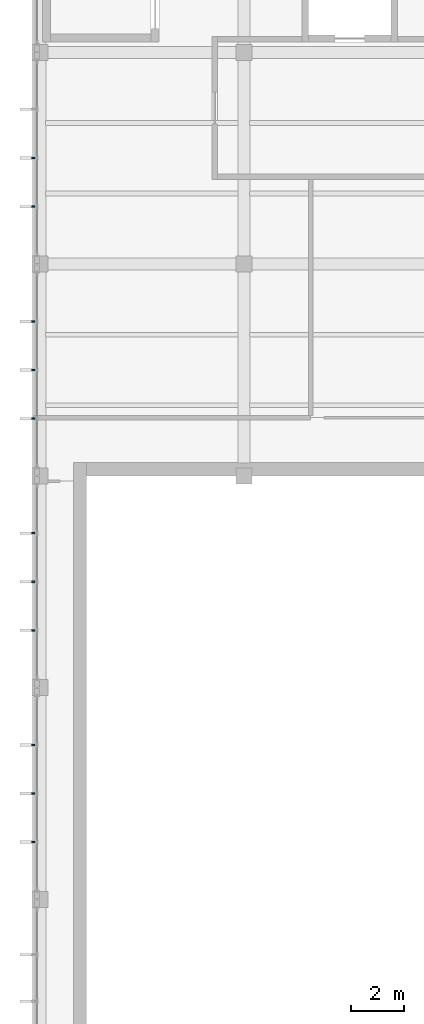
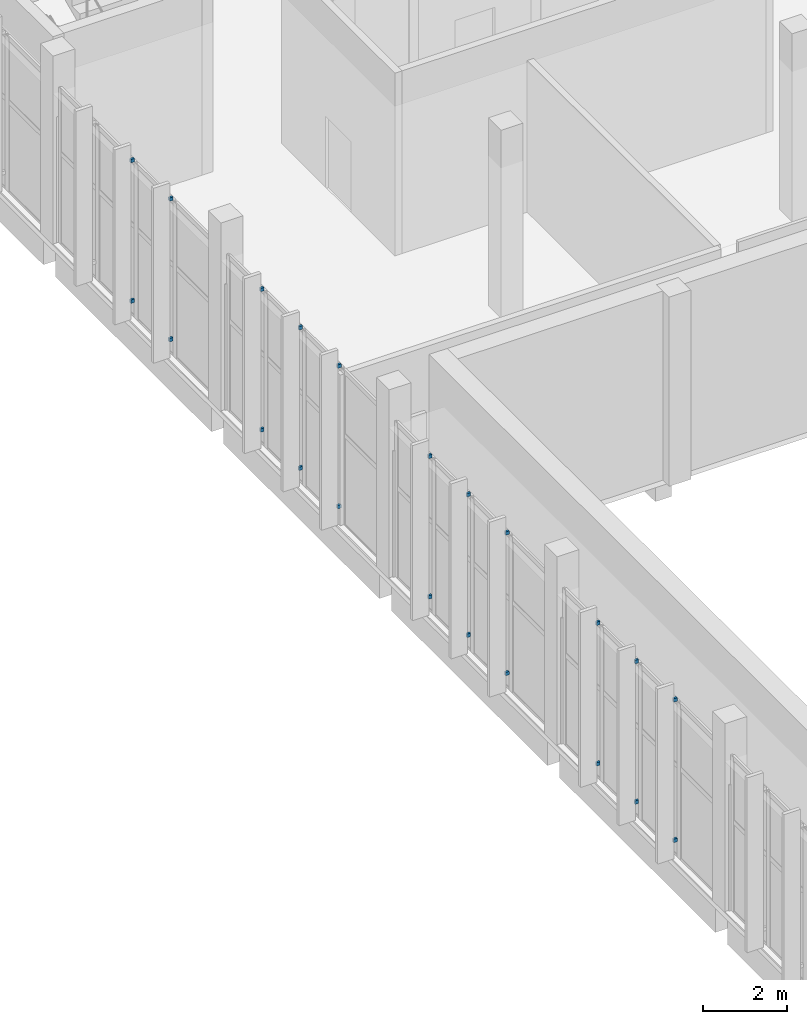
# One storey, part 52 of 87: 22 discrete accessories.
"""IFC4 building model written with IfcOpenShell, lengths in metres."""

from ifc_helpers import new_model, si_unit, direction, frame, origin, origin_2d, place, context, subcontext, project, spatial, rectangle, extrude, material, type_object, element, save


model = new_model("IFC4")

# Units and contexts
model_context = context("Model", 3, precision=1e-05, world=origin(), true_north=direction((0.0, 1.0)))
body_context = subcontext(model_context, "Body", "Model", "MODEL_VIEW")
ifc_project = project(units=[si_unit("LENGTHUNIT", "METRE"), si_unit("AREAUNIT", "SQUARE_METRE"), si_unit("VOLUMEUNIT", "CUBIC_METRE"), si_unit("PLANEANGLEUNIT", "RADIAN"), si_unit("MASSUNIT", "GRAM", prefix="KILO")], contexts=[model_context])

# Site, building, storey
site_placement = place(None, origin())
site = spatial("IfcSite", under=ifc_project, at=site_placement, CompositionType="ELEMENT")
building_placement = place(site_placement, origin())
building = spatial("IfcBuilding", under=site, at=building_placement, Name="Lunette Opera House", CompositionType="ELEMENT")
storey_placement = place(building_placement, frame((0.0, 0.0, 11.5)))
storey = spatial("IfcBuildingStorey", under=building, at=storey_placement, Name="L02", CompositionType="ELEMENT", Elevation=11.5)

# Discrete accessories
ifc_material = material(Name="Galvanised steel", Category="steel")
discrete_accessory_type = type_object("IfcDiscreteAccessoryType", Name="FIN BRACKET STEEL", PredefinedType="BRACKET", material=ifc_material)
for number, where, z_axis, x_axis, name in (
    (1, (8.0419921875, 100.012939453125, 0.56494140625), (0.0, 0.0, 1.0), (-1.0, 0.0, 0.0), "Fin bracket RW-X2030 2 1"),
    (2, (8.0419921875, 100.012939453125, 4.64990234375), (0.0, 0.0, 1.0), (-1.0, 0.0, 0.0), "Fin bracket RW-X2030 2 2"),
    (3, (8.0419921875, 98.1708984375, 0.56494140625), (0.0, 0.0, 1.0), (-1.0, 0.0, 0.0), "Fin bracket RW-X2030 3 1"),
    (4, (8.0419921875, 98.1708984375, 4.64990234375), (0.0, 0.0, 1.0), (-1.0, 0.0, 0.0), "Fin bracket RW-X2030 3 2"),
    (5, (8.0419921875, 93.8349609375, 0.56494140625), (0.0, 0.0, 1.0), (-1.0, 0.0, 0.0), "Fin bracket RW-X2031 1 1"),
    (6, (8.0419921875, 93.8349609375, 4.64990234375), (0.0, 0.0, 1.0), (-1.0, 0.0, 0.0), "Fin bracket RW-X2031 1 2"),
    (7, (8.0419921875, 92.0, 0.56494140625), (0.0, 0.0, 1.0), (-1.0, 0.0, 0.0), "Fin bracket RW-X2031 2 1"),
    (8, (8.0419921875, 92.0, 4.64990234375), (0.0, 0.0, 1.0), (-1.0, 0.0, 0.0), "Fin bracket RW-X2031 2 2"),
    (9, (8.0419921875, 90.1650390625, 0.56494140625), (0.0, 0.0, 1.0), (-1.0, 0.0, 0.0), "Fin bracket RW-X2031 3 1"),
    (10, (8.0419921875, 90.1650390625, 4.64990234375), (0.0, 0.0, 1.0), (-1.0, 0.0, 0.0), "Fin bracket RW-X2031 3 2"),
    (11, (8.0419921875, 85.8349609375, 0.56494140625), (0.0, 0.0, 1.0), (-1.0, 0.0, 0.0), "Fin bracket RW-X2032 1 1"),
    (12, (8.0419921875, 85.8349609375, 4.64990234375), (0.0, 0.0, 1.0), (-1.0, 0.0, 0.0), "Fin bracket RW-X2032 1 2"),
    (13, (8.0419921875, 84.0, 0.56494140625), (0.0, 0.0, 1.0), (-1.0, 0.0, 0.0), "Fin bracket RW-X2032 2 1"),
    (14, (8.0419921875, 84.0, 4.64990234375), (0.0, 0.0, 1.0), (-1.0, 0.0, 0.0), "Fin bracket RW-X2032 2 2"),
    (15, (8.0419921875, 82.1650390625, 0.56494140625), (0.0, 0.0, 1.0), (-1.0, 0.0, 0.0), "Fin bracket RW-X2032 3 1"),
    (16, (8.0419921875, 82.1650390625, 4.64990234375), (0.0, 0.0, 1.0), (-1.0, 0.0, 0.0), "Fin bracket RW-X2032 3 2"),
    (17, (8.0419921875, 77.8349609375, 0.56494140625), (0.0, 0.0, 1.0), (-1.0, 0.0, 0.0), "Fin bracket RW-X2033 1 1"),
    (18, (8.0419921875, 77.8349609375, 4.64990234375), (0.0, 0.0, 1.0), (-1.0, 0.0, 0.0), "Fin bracket RW-X2033 1 2"),
    (19, (8.0419921875, 76.0, 0.56494140625), (0.0, 0.0, 1.0), (-1.0, 0.0, 0.0), "Fin bracket RW-X2033 2 1"),
    (20, (8.0419921875, 76.0, 4.64990234375), (0.0, 0.0, 1.0), (-1.0, 0.0, 0.0), "Fin bracket RW-X2033 2 2"),
    (21, (8.0419921875, 74.1650390625, 0.56494140625), (0.0, 0.0, 1.0), (-1.0, 0.0, 0.0), "Fin bracket RW-X2033 3 1"),
    (22, (8.0419921875, 74.1650390625, 4.64990234375), (0.0, 0.0, 1.0), (-1.0, 0.0, 0.0), "Fin bracket RW-X2033 3 2"),
):
    element("IfcDiscreteAccessory", number, at=place(storey_placement, frame(where, z_axis=z_axis, x_axis=x_axis)), inside=storey, type_object=discrete_accessory_type, Name=name, PredefinedType="BRACKET", context=body_context, shape_type="SweptSolid", body=[
        extrude(rectangle(XDim=0.10009765625, YDim=0.06005859375, at=origin_2d()), origin(), (0.0, 0.0, 1.0), 0.10009765625),
    ])

save(model, "model.ifc")
